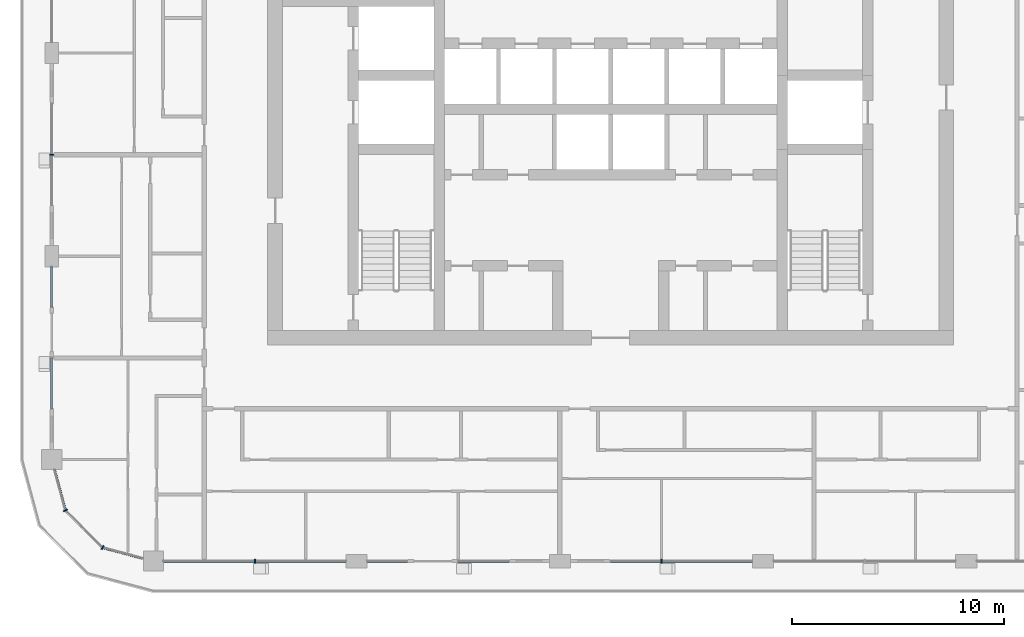
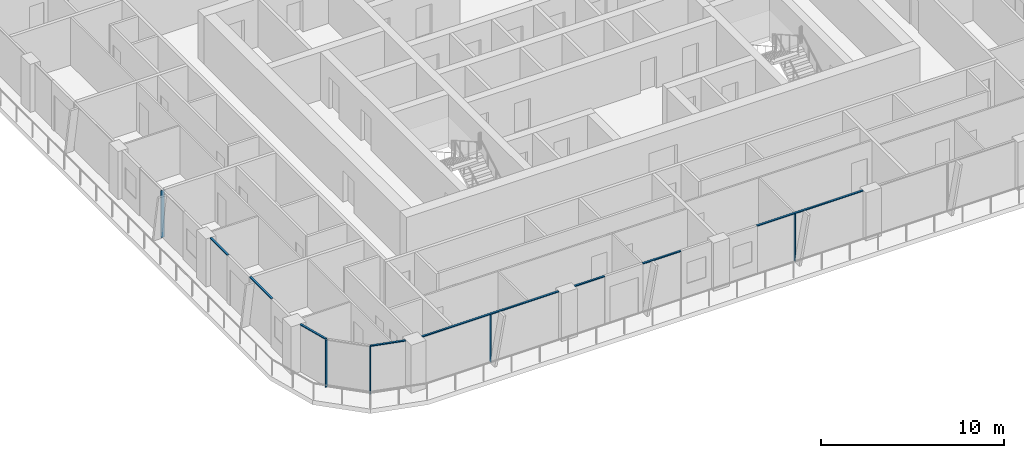
# One storey, part 2 of 23: 13 members, 6 elements without a shape of their own.
"""IFC4 building model written with IfcOpenShell, lengths in metres."""

from ifc_helpers import new_model, si_unit, direction, frame, origin, origin_2d, place, context, subcontext, project, spatial, rectangle, extrude, material, layer, layer_set, material_profile, profile_set, type_object, element, aggregate, save


model = new_model("IFC4")

# Units and contexts
model_context = context("Model", 3, precision=1e-05, world=origin(), true_north=direction((0.0, 1.0)))
body_context = subcontext(model_context, "Body", "Model", "MODEL_VIEW")
ifc_project = project(units=[si_unit("LENGTHUNIT", "METRE"), si_unit("AREAUNIT", "SQUARE_METRE"), si_unit("VOLUMEUNIT", "CUBIC_METRE"), si_unit("PLANEANGLEUNIT", "RADIAN"), si_unit("MASSUNIT", "GRAM", prefix="KILO")], contexts=[model_context])

# Site, building, storey
site_placement = place(None, origin())
site = spatial("IfcSite", under=ifc_project, at=site_placement, CompositionType="ELEMENT")
building_placement = place(site_placement, origin())
building = spatial("IfcBuilding", under=site, at=building_placement, Name="Madar Terraces", CompositionType="ELEMENT")
storey_placement = place(building_placement, frame((0.0, 0.0, 212.300048828125)))
storey = spatial("IfcBuildingStorey", under=building, at=storey_placement, Name="L55", CompositionType="ELEMENT", Elevation=212.300048828125)

# Curtain wall, member
ifc_material_1 = material(Name="Glass, ceramic frit dark grey, with black aluminium frame", Category="aluminium")
ifc_layer = layer(ifc_material_1, 0.199951171875)
ifc_layer_set = layer_set([ifc_layer], Name="Facade curtain wall, fritted glass")
curtain_wall_type = type_object("IfcCurtainWallType", Name="Facade curtain wall, fritted glass", PredefinedType="NOTDEFINED", material=ifc_layer_set)
curtain_wall_1_placement = place(storey_placement, origin())
curtain_wall_1 = element("IfcCurtainWall", 1, at=curtain_wall_1_placement, inside=storey, type_object=curtain_wall_type, Name="Outer skin curtain wall south bay 1", PredefinedType="NOTDEFINED")
ifc_material_2 = material(Name="Aluminium, black anodised", Category="aluminium")
ifc_material_profile_1 = material_profile(ifc_material_2, rectangle(XDim=0.199951171875, YDim=0.06005859375, at=origin_2d()), Name="Facade mullion 60x200")
ifc_profile_set_1 = profile_set([ifc_material_profile_1], Name="Aluminium, black anodised")
member_type_1 = type_object("IfcMemberType", Name="Facade mullion 60x200", PredefinedType="MULLION", material=ifc_profile_set_1)
member_1_placement = place(storey_placement, frame((14.39990234375, 4.800048828125, 0.0), z_axis=(0.0, 0.0, 1.0), x_axis=(0.0, 1.0, 0.0)))
member_1 = element("IfcMember", 2, at=member_1_placement, type_object=member_type_1, Name="Mullion 1", PredefinedType="MULLION", context=body_context, shape_type="SweptSolid", body=[
    extrude(rectangle(XDim=0.199951171875, YDim=0.06005859375, at=origin_2d()), origin(), (0.0, 0.0, 1.0), 3.139892578125),
])

curtain_wall_2_placement = place(storey_placement, origin())
curtain_wall_2 = element("IfcCurtainWall", 3, at=curtain_wall_2_placement, inside=storey, type_object=curtain_wall_type, Name="Outer skin curtain wall south bay 3", PredefinedType="NOTDEFINED")
member_2_placement = place(storey_placement, frame((33.60009765625, 4.800048828125, 0.0), z_axis=(0.0, 0.0, 1.0), x_axis=(0.0, 1.0, 0.0)))
member_2 = element("IfcMember", 4, at=member_2_placement, type_object=member_type_1, Name="Mullion 1", PredefinedType="MULLION", context=body_context, shape_type="SweptSolid", body=[
    extrude(rectangle(XDim=0.199951171875, YDim=0.06005859375, at=origin_2d()), origin(), (0.0, 0.0, 1.0), 3.139892578125),
])

curtain_wall_3_placement = place(storey_placement, origin())
curtain_wall_3 = element("IfcCurtainWall", 5, at=curtain_wall_3_placement, inside=storey, type_object=curtain_wall_type, Name="Outer skin curtain wall west bay 3", PredefinedType="NOTDEFINED")
member_3_placement = place(storey_placement, frame((4.800048828125, 24.0, 0.0), z_axis=(0.0, 0.0, 1.0), x_axis=(1.0, 0.0, 0.0)))
member_3 = element("IfcMember", 6, at=member_3_placement, type_object=member_type_1, Name="Mullion 1", PredefinedType="MULLION", context=body_context, shape_type="SweptSolid", body=[
    extrude(rectangle(XDim=0.199951171875, YDim=0.06005859375, at=origin_2d()), origin(), (0.0, 0.0, 1.0), 3.139892578125),
])
aggregate(curtain_wall_3, [member_3])

# Curtain wall, members
curtain_wall_4_placement = place(storey_placement, origin())
curtain_wall_4 = element("IfcCurtainWall", 7, at=curtain_wall_4_placement, inside=storey, type_object=curtain_wall_type, Name="Outer skin curtain wall south-west corner", PredefinedType="NOTDEFINED")
member_4_placement = place(storey_placement, frame((5.443115234375, 7.199951171875, 0.0), z_axis=(0.0, 0.0, 1.0), x_axis=(0.866025409797, 0.499999989586, 0.0)))
member_4 = element("IfcMember", 8, at=member_4_placement, type_object=member_type_1, Name="Mullion 1", PredefinedType="MULLION", context=body_context, shape_type="SweptSolid", body=[
    extrude(rectangle(XDim=0.199951171875, YDim=0.06005859375, at=origin_2d()), origin(), (0.0, 0.0, 1.0), 3.139892578125),
])
member_5_placement = place(storey_placement, frame((7.199951171875, 5.443115234375, 0.0), z_axis=(0.0, 0.0, 1.0), x_axis=(0.499999989586, 0.866025409797, 0.0)))
member_5 = element("IfcMember", 9, at=member_5_placement, type_object=member_type_1, Name="Mullion 2", PredefinedType="MULLION", context=body_context, shape_type="SweptSolid", body=[
    extrude(rectangle(XDim=0.199951171875, YDim=0.06005859375, at=origin_2d()), origin(), (0.0, 0.0, 1.0), 3.139892578125),
])

# Member
ifc_material_3 = material(Name="Aluminium, black anodised", Category="aluminium")
ifc_material_profile_2 = material_profile(ifc_material_3, rectangle(XDim=0.1201171875, YDim=0.06005859375, at=origin_2d()), Name="Facade transom 60x120")
ifc_profile_set_2 = profile_set([ifc_material_profile_2], Name="Aluminium, black anodised")
member_type_2 = type_object("IfcMemberType", Name="Facade transom 60x120", PredefinedType="USERDEFINED", material=ifc_profile_set_2)
member_6_placement = place(storey_placement, frame((10.074951171875, 4.800048828125, 3.169921875), z_axis=(1.0, 0.0, 0.0), x_axis=(0.0, 1.0, 0.0)))
member_6 = element("IfcMember", 10, at=member_6_placement, type_object=member_type_2, Name="Transom 1", ObjectType="TRANSOM", PredefinedType="USERDEFINED", context=body_context, shape_type="SweptSolid", body=[
    extrude(rectangle(XDim=0.1201171875, YDim=0.06005859375, at=origin_2d()), origin(), (0.0, 0.0, 1.0), 8.625),
])

aggregate(curtain_wall_1, [member_1, member_6])

# Curtain wall, members
curtain_wall_5_placement = place(storey_placement, origin())
curtain_wall_5 = element("IfcCurtainWall", 11, at=curtain_wall_5_placement, inside=storey, type_object=curtain_wall_type, Name="Outer skin curtain wall south bay 2", PredefinedType="NOTDEFINED")
member_7_placement = place(storey_placement, frame((19.699951171875, 4.800048828125, 3.169921875), z_axis=(1.0, 0.0, 0.0), x_axis=(0.0, 1.0, 0.0)))
member_7 = element("IfcMember", 12, at=member_7_placement, type_object=member_type_2, Name="Transom 1", ObjectType="TRANSOM", PredefinedType="USERDEFINED", context=body_context, shape_type="SweptSolid", body=[
    extrude(rectangle(XDim=0.1201171875, YDim=0.06005859375, at=origin_2d()), origin(), (0.0, 0.0, 1.0), 1.900146484375),
])
member_8_placement = place(storey_placement, frame((24.0, 4.800048828125, 3.169921875), z_axis=(1.0, 0.0, 0.0), x_axis=(0.0, 1.0, 0.0)))
member_8 = element("IfcMember", 13, at=member_8_placement, type_object=member_type_2, Name="Transom 2", ObjectType="TRANSOM", PredefinedType="USERDEFINED", context=body_context, shape_type="SweptSolid", body=[
    extrude(rectangle(XDim=0.1201171875, YDim=0.06005859375, at=origin_2d()), origin(), (0.0, 0.0, 1.0), 2.39990234375),
])
aggregate(curtain_wall_5, [member_7, member_8])

# Member
member_9_placement = place(storey_placement, frame((31.199951171875, 4.800048828125, 3.169921875), z_axis=(1.0, 0.0, 0.0), x_axis=(0.0, 1.0, 0.0)))
member_9 = element("IfcMember", 14, at=member_9_placement, type_object=member_type_2, Name="Transom 1", ObjectType="TRANSOM", PredefinedType="USERDEFINED", context=body_context, shape_type="SweptSolid", body=[
    extrude(rectangle(XDim=0.1201171875, YDim=0.06005859375, at=origin_2d()), origin(), (0.0, 0.0, 1.0), 6.699951171875),
])

aggregate(curtain_wall_2, [member_2, member_9])

# Curtain wall, members
curtain_wall_6_placement = place(storey_placement, origin())
curtain_wall_6 = element("IfcCurtainWall", 15, at=curtain_wall_6_placement, inside=storey, type_object=curtain_wall_type, Name="Outer skin curtain wall west bay 4", PredefinedType="NOTDEFINED")
member_10_placement = place(storey_placement, frame((4.800048828125, 18.699951171875, 3.169921875), z_axis=(0.0, -1.0, 0.0), x_axis=(1.0, 0.0, 0.0)))
member_10 = element("IfcMember", 16, at=member_10_placement, type_object=member_type_2, Name="Transom 1", ObjectType="TRANSOM", PredefinedType="USERDEFINED", context=body_context, shape_type="SweptSolid", body=[
    extrude(rectangle(XDim=0.1201171875, YDim=0.06005859375, at=origin_2d()), origin(), (0.0, 0.0, 1.0), 1.89990234375),
])
member_11_placement = place(storey_placement, frame((4.800048828125, 14.39990234375, 3.169921875), z_axis=(0.0, -1.0, 0.0), x_axis=(1.0, 0.0, 0.0)))
member_11 = element("IfcMember", 17, at=member_11_placement, type_object=member_type_2, Name="Transom 2", ObjectType="TRANSOM", PredefinedType="USERDEFINED", context=body_context, shape_type="SweptSolid", body=[
    extrude(rectangle(XDim=0.1201171875, YDim=0.06005859375, at=origin_2d()), origin(), (0.0, 0.0, 1.0), 2.39990234375),
])
aggregate(curtain_wall_6, [member_10, member_11])

# Member
member_12_placement = place(storey_placement, frame((4.92724609375, 9.125, 3.169921875), z_axis=(0.258831412352, -0.96592251241, 0.0), x_axis=(0.96592251241, 0.258831412352, 0.0)))
member_12 = element("IfcMember", 18, at=member_12_placement, type_object=member_type_2, Name="Transom 1", ObjectType="TRANSOM", PredefinedType="USERDEFINED", context=body_context, shape_type="SweptSolid", body=[
    extrude(rectangle(XDim=0.1201171875, YDim=0.06005859375, at=origin_2d()), origin(), (0.0, 0.0, 1.0), 1.962890625),
])

member_13_placement = place(storey_placement, frame((7.22900390625, 5.435302734375, 3.169921875), z_axis=(0.96592251241, -0.258831412352, 0.0), x_axis=(0.258831412352, 0.96592251241, 0.0)))
member_13 = element("IfcMember", 19, at=member_13_placement, type_object=member_type_2, Name="Transom 3", ObjectType="TRANSOM", PredefinedType="USERDEFINED", context=body_context, shape_type="SweptSolid", body=[
    extrude(rectangle(XDim=0.1201171875, YDim=0.06005859375, at=origin_2d()), origin(), (0.0, 0.0, 1.0), 1.962890625),
])

aggregate(curtain_wall_4, [member_4, member_12, member_5, member_13])

save(model, "model.ifc")
